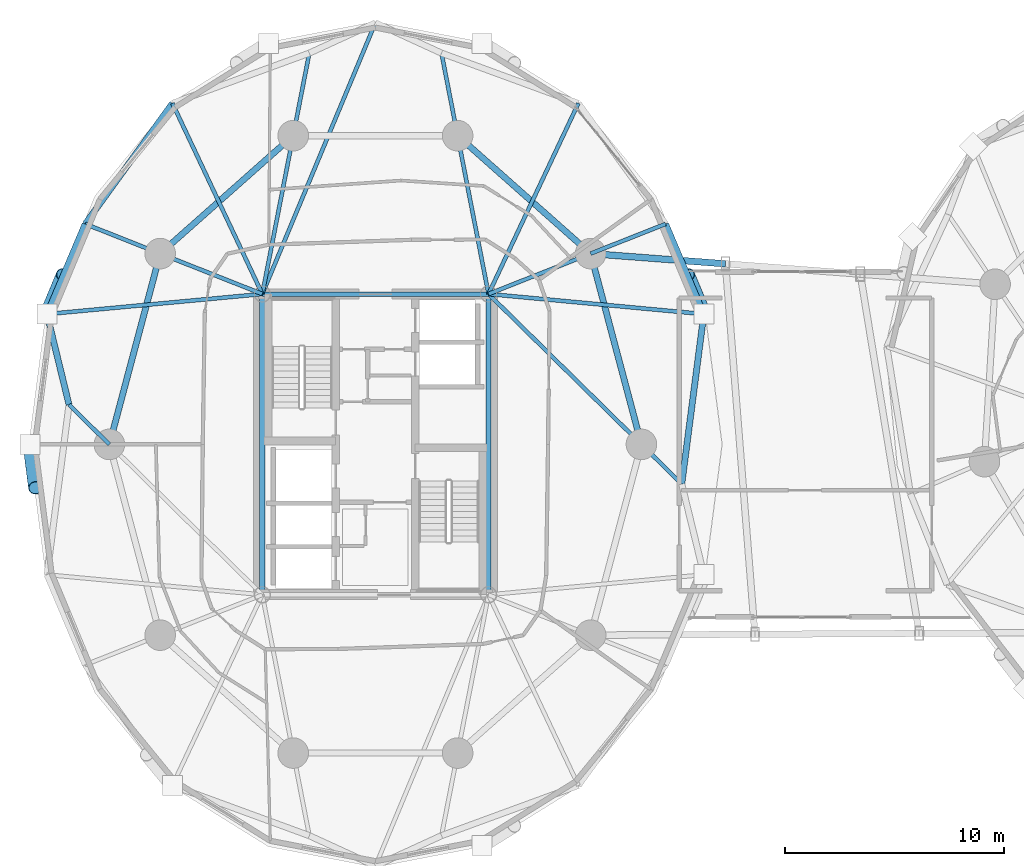
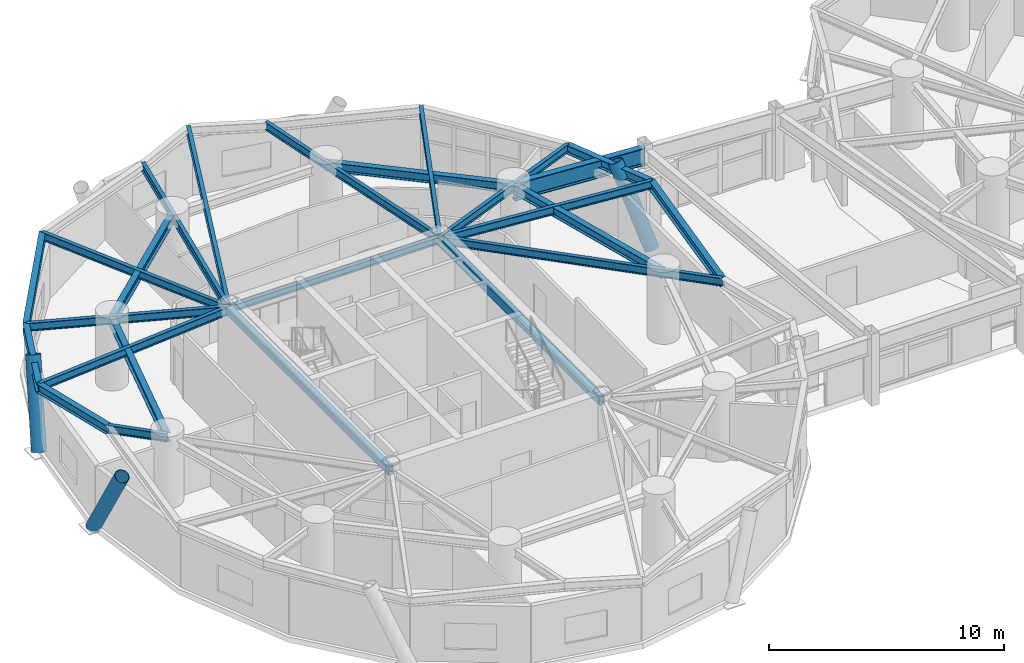
# One storey, part 2 of 20: 25 beams, 3 members.
"""IFC4 building model written with IfcOpenShell, lengths in metres."""

from ifc_helpers import new_model, si_unit, direction, frame, origin, origin_2d, place, context, subcontext, project, spatial, hollow_rectangle, hollow_circle, i_section, extrude, material, material_profile, profile_set, type_object, element, save


model = new_model("IFC4")

# Units and contexts
model_context = context("Model", 3, precision=1e-05, world=origin(), true_north=direction((0.0, 1.0)))
body_context = subcontext(model_context, "Body", "Model", "MODEL_VIEW")
ifc_project = project(units=[si_unit("LENGTHUNIT", "METRE"), si_unit("AREAUNIT", "SQUARE_METRE"), si_unit("VOLUMEUNIT", "CUBIC_METRE"), si_unit("PLANEANGLEUNIT", "RADIAN"), si_unit("MASSUNIT", "GRAM", prefix="KILO")], contexts=[model_context])

# Site, building, storey
site_placement = place(None, origin())
site = spatial("IfcSite", under=ifc_project, at=site_placement, CompositionType="ELEMENT")
building_placement = place(site_placement, origin())
building = spatial("IfcBuilding", under=site, at=building_placement, Name="Cununo Teusaquillo Station Towers", CompositionType="ELEMENT")
storey_placement = place(building_placement, frame((0.0, 0.0, 129.159912109375)))
storey = spatial("IfcBuildingStorey", under=building, at=storey_placement, Name="L41", CompositionType="ELEMENT", Elevation=129.159912109375)

# Beams
ifc_material_1 = material(Name="Steel EN 10025-2 S355J2", Category="steel")
ifc_material_profile_1 = material_profile(ifc_material_1, i_section(OverallWidth=0.300048828125, OverallDepth=0.89990234375, WebThickness=0.0185546875, FlangeThickness=0.034912109375, FilletRadius=0.027099609375, at=origin_2d()), Name="HEB 900")
ifc_profile_set_1 = profile_set([ifc_material_profile_1], Name="Steel EN 10025-2 S355J2")
beam_type_1 = type_object("IfcBeamType", Name="BM-BRG-CH2", PredefinedType="BEAM", material=ifc_profile_set_1)
beam_1_placement = place(storey_placement, frame((26.347412109375, 33.228515625, 2.989990234375), z_axis=(0.997146155085, -0.075495333624, 0.0), x_axis=(0.075495333624, 0.997146155085, 0.0)))
element("IfcBeam", 1, at=beam_1_placement, inside=storey, type_object=beam_type_1, Name="L41 Mid-Bridge Chord N1", PredefinedType="BEAM", context=body_context, shape_type="SweptSolid", body=[
    extrude(i_section(OverallWidth=0.300048828125, OverallDepth=0.89990234375, WebThickness=0.0185546875, FlangeThickness=0.034912109375, FilletRadius=0.027099609375, at=origin_2d()), origin(), (0.0, 0.0, 1.0), 6.186279296875),
])
ifc_material_2 = material(Name="Steel EN 10025-2 S355J2", Category="steel")
ifc_material_profile_2 = material_profile(ifc_material_2, hollow_rectangle(XDim=0.25, YDim=0.449951171875, WallThickness=0.01611328125, at=origin_2d()), Name="RHS 450x250x16")
ifc_profile_set_2 = profile_set([ifc_material_profile_2], Name="Steel EN 10025-2 S355J2")
beam_type_2 = type_object("IfcBeamType", Name="BM-COUP-1", PredefinedType="USERDEFINED", material=ifc_profile_set_2)
for number, where, z_axis, x_axis, name in (
    (2, (11.324951171875, 17.6201171875, 3.215087890625), (0.0, 1.0, 0.0), (-1.0, 0.0, 0.0), "L41 Tower A Core Beam 1"),
    (3, (21.675048828125, 17.6201171875, 3.215087890625), (0.0, 1.0, 0.0), (-1.0, 0.0, 0.0), "L41 Tower A Core Beam 2"),
):
    element("IfcBeam", number, at=place(storey_placement, frame(where, z_axis=z_axis, x_axis=x_axis)), inside=storey, type_object=beam_type_2, Name=name, ObjectType="COUPLING BEAM", PredefinedType="USERDEFINED", context=body_context, shape_type="SweptSolid", body=[
        extrude(hollow_rectangle(XDim=0.25, YDim=0.449951171875, WallThickness=0.01611328125, at=origin_2d()), origin(), (0.0, 0.0, 1.0), 13.759765625),
    ])
ifc_material_3 = material(Name="Steel ASTM A572 Grade 50", Category="steel")
ifc_material_profile_3 = material_profile(ifc_material_3, i_section(OverallWidth=0.180908203125, OverallDepth=0.4169921875, WebThickness=0.010986328125, FlangeThickness=0.018310546875, FilletRadius=0.012939453125, at=origin_2d()), Name="W16X57")
ifc_profile_set_3 = profile_set([ifc_material_profile_3], Name="Steel ASTM A572 Grade 50")
beam_type_3 = type_object("IfcBeamType", Name="BM-JOIST-1", PredefinedType="JOIST", material=ifc_profile_set_3)
beam_2_placement = place(storey_placement, frame((21.675048828125, 31.3798828125, 3.231689453125), z_axis=(0.995678537907, -0.09286683558, 0.0), x_axis=(0.09286683558, 0.995678537907, 0.0)))
element("IfcBeam", 4, at=beam_2_placement, inside=storey, type_object=beam_type_3, Name="L41 Tower A Radial Spandrel Joist V01", PredefinedType="JOIST", context=body_context, shape_type="SweptSolid", body=[
    extrude(i_section(OverallWidth=0.180908203125, OverallDepth=0.4169921875, WebThickness=0.010986328125, FlangeThickness=0.018310546875, FilletRadius=0.012939453125, at=origin_2d()), origin(), (0.0, 0.0, 1.0), 9.895263671875),
])
beam_3_placement = place(storey_placement, frame((21.675048828125, 31.3798828125, 3.231689453125), z_axis=(0.426319838016, 0.904572493344, 0.0), x_axis=(-0.904572493344, 0.426319838016, 0.0)))
element("IfcBeam", 5, at=beam_3_placement, inside=storey, type_object=beam_type_3, Name="L41 Tower A Radial Spandrel Joist V03", PredefinedType="JOIST", context=body_context, shape_type="SweptSolid", body=[
    extrude(i_section(OverallWidth=0.180908203125, OverallDepth=0.4169921875, WebThickness=0.010986328125, FlangeThickness=0.018310546875, FilletRadius=0.012939453125, at=origin_2d()), origin(), (0.0, 0.0, 1.0), 9.646728515625),
])
beam_4_placement = place(storey_placement, frame((11.324951171875, 31.3798828125, 3.231689453125), z_axis=(0.38487837995, 0.922967297713, 0.0), x_axis=(-0.922967297713, 0.38487837995, 0.0)))
element("IfcBeam", 6, at=beam_4_placement, inside=storey, type_object=beam_type_3, Name="L41 Tower A Radial Spandrel Joist V05", PredefinedType="JOIST", context=body_context, shape_type="SweptSolid", body=[
    extrude(i_section(OverallWidth=0.180908203125, OverallDepth=0.4169921875, WebThickness=0.010986328125, FlangeThickness=0.018310546875, FilletRadius=0.012939453125, at=origin_2d()), origin(), (0.0, 0.0, 1.0), 13.446044921875),
])
beam_5_placement = place(storey_placement, frame((11.324951171875, 31.3798828125, 3.231689453125), z_axis=(-0.426319838016, 0.904572493344, 0.0), x_axis=(-0.904572493344, -0.426319838016, 0.0)))
element("IfcBeam", 7, at=beam_5_placement, inside=storey, type_object=beam_type_3, Name="L41 Tower A Radial Spandrel Joist V07", PredefinedType="JOIST", context=body_context, shape_type="SweptSolid", body=[
    extrude(i_section(OverallWidth=0.180908203125, OverallDepth=0.4169921875, WebThickness=0.010986328125, FlangeThickness=0.018310546875, FilletRadius=0.012939453125, at=origin_2d()), origin(), (0.0, 0.0, 1.0), 9.646728515625),
])
beam_6_placement = place(storey_placement, frame((11.324951171875, 31.3798828125, 3.231689453125), z_axis=(-0.995678537907, -0.09286683558, 0.0), x_axis=(0.09286683558, -0.995678537907, 0.0)))
element("IfcBeam", 8, at=beam_6_placement, inside=storey, type_object=beam_type_3, Name="L41 Tower A Radial Spandrel Joist V09", PredefinedType="JOIST", context=body_context, shape_type="SweptSolid", body=[
    extrude(i_section(OverallWidth=0.180908203125, OverallDepth=0.4169921875, WebThickness=0.010986328125, FlangeThickness=0.018310546875, FilletRadius=0.012939453125, at=origin_2d()), origin(), (0.0, 0.0, 1.0), 9.895263671875),
])
ifc_material_4 = material(Name="Steel ASTM A572 Grade 50", Category="steel")
ifc_material_profile_4 = material_profile(ifc_material_4, i_section(OverallWidth=0.2041015625, OverallDepth=0.35009765625, WebThickness=0.008544921875, FlangeThickness=0.01513671875, FilletRadius=0.011962890625, at=origin_2d()), Name="W14X48")
ifc_profile_set_4 = profile_set([ifc_material_profile_4], Name="Steel ASTM A572 Grade 50")
beam_type_4 = type_object("IfcBeamType", Name="BM-LINTEL-1", PredefinedType="LINTEL", material=ifc_profile_set_4)
beam_7_placement = place(storey_placement, frame((11.324951171875, 31.3798828125, 3.26513671875), z_axis=(1.0, 0.0, 0.0), x_axis=(0.0, 1.0, 0.0)))
element("IfcBeam", 9, at=beam_7_placement, inside=storey, type_object=beam_type_4, Name="L41 Tower A Core Beam 4", PredefinedType="LINTEL", context=body_context, shape_type="SweptSolid", body=[
    extrude(i_section(OverallWidth=0.2041015625, OverallDepth=0.35009765625, WebThickness=0.008544921875, FlangeThickness=0.01513671875, FilletRadius=0.011962890625, at=origin_2d()), origin(), (0.0, 0.0, 1.0), 10.35009765625),
])
ifc_material_5 = material(Name="Steel ASTM A572 Grade 50", Category="steel")
ifc_material_profile_5 = material_profile(ifc_material_5, i_section(OverallWidth=0.180908203125, OverallDepth=0.4169921875, WebThickness=0.010986328125, FlangeThickness=0.018310546875, FilletRadius=0.012939453125, at=origin_2d()), Name="W16X57")
ifc_profile_set_5 = profile_set([ifc_material_profile_5], Name="Steel ASTM A572 Grade 50")
beam_type_5 = type_object("IfcBeamType", Name="BM-RAD-G2", PredefinedType="BEAM", material=ifc_profile_set_5)
beam_8_placement = place(storey_placement, frame((21.675048828125, 31.3798828125, 3.231689453125), z_axis=(0.713047137857, -0.701116095375, 0.0), x_axis=(0.701116095375, 0.713047137857, 0.0)))
element("IfcBeam", 10, at=beam_8_placement, inside=storey, type_object=beam_type_5, Name="L41 Tower A Continuous Overhanging Radial Girder 01", PredefinedType="BEAM", context=body_context, shape_type="SweptSolid", body=[
    extrude(i_section(OverallWidth=0.180908203125, OverallDepth=0.4169921875, WebThickness=0.010986328125, FlangeThickness=0.018310546875, FilletRadius=0.012939453125, at=origin_2d()), origin(), (0.0, 0.0, 1.0), 12.400390625),
])
beam_9_placement = place(storey_placement, frame((21.675048828125, 31.3798828125, 3.231689453125), z_axis=(0.929864104313, 0.367903176814, 0.0), x_axis=(-0.367903176814, 0.929864104313, 0.0)))
element("IfcBeam", 11, at=beam_9_placement, inside=storey, type_object=beam_type_5, Name="L41 Tower A Radial Girder 02A", PredefinedType="BEAM", context=body_context, shape_type="SweptSolid", body=[
    extrude(i_section(OverallWidth=0.180908203125, OverallDepth=0.4169921875, WebThickness=0.010986328125, FlangeThickness=0.018310546875, FilletRadius=0.012939453125, at=origin_2d()), origin(), (0.0, 0.0, 1.0), 5.02490234375),
])
beam_10_placement = place(storey_placement, frame((26.347412109375, 33.228515625, 3.231689453125), z_axis=(0.929861788731, 0.367909029323, 0.0), x_axis=(-0.367909029323, 0.929861788731, 0.0)))
element("IfcBeam", 12, at=beam_10_placement, inside=storey, type_object=beam_type_5, Name="L41 Tower A Perimeter Overhang Girder 02B", PredefinedType="BEAM", context=body_context, shape_type="SweptSolid", body=[
    extrude(i_section(OverallWidth=0.180908203125, OverallDepth=0.4169921875, WebThickness=0.010986328125, FlangeThickness=0.018310546875, FilletRadius=0.012939453125, at=origin_2d()), origin(), (0.0, 0.0, 1.0), 3.690185546875),
])
for number, where, z_axis, x_axis, name in (
    (13, (21.675048828125, 31.3798828125, 3.231689453125), (-0.191552755713, 0.981482318628, 0.0), (-0.981482318628, -0.191552755713, 0.0), "L41 Tower A Continuous Overhanging Radial Girder 03"),
    (14, (11.324951171875, 31.3798828125, 3.231689453125), (0.191552755713, 0.981482318628, 0.0), (-0.981482318628, 0.191552755713, 0.0), "L41 Tower A Continuous Overhanging Radial Girder 04"),
):
    element("IfcBeam", number, at=place(storey_placement, frame(where, z_axis=z_axis, x_axis=x_axis)), inside=storey, type_object=beam_type_5, Name=name, PredefinedType="BEAM", context=body_context, shape_type="SweptSolid", body=[
        extrude(i_section(OverallWidth=0.180908203125, OverallDepth=0.4169921875, WebThickness=0.010986328125, FlangeThickness=0.018310546875, FilletRadius=0.012939453125, at=origin_2d()), origin(), (0.0, 0.0, 1.0), 11.22998046875),
    ])
beam_11_placement = place(storey_placement, frame((11.324951171875, 31.3798828125, 3.231689453125), z_axis=(-0.929863123823, 0.367905654963, 0.0), x_axis=(-0.367905654963, -0.929863123823, 0.0)))
element("IfcBeam", 15, at=beam_11_placement, inside=storey, type_object=beam_type_5, Name="L41 Tower A Continuous Overhanging Radial Girder 05", PredefinedType="BEAM", context=body_context, shape_type="SweptSolid", body=[
    extrude(i_section(OverallWidth=0.180908203125, OverallDepth=0.4169921875, WebThickness=0.010986328125, FlangeThickness=0.018310546875, FilletRadius=0.012939453125, at=origin_2d()), origin(), (0.0, 0.0, 1.0), 8.715087890625),
])
beam_12_placement = place(storey_placement, frame((4.327880859375, 24.5, 3.231689453125), z_axis=(-0.7130260383, 0.701137553342, 0.0), x_axis=(-0.701137553342, -0.7130260383, 0.0)))
element("IfcBeam", 16, at=beam_12_placement, inside=storey, type_object=beam_type_5, Name="L41 Tower A Perimeter Overhang Girder 06B", PredefinedType="BEAM", context=body_context, shape_type="SweptSolid", body=[
    extrude(i_section(OverallWidth=0.180908203125, OverallDepth=0.4169921875, WebThickness=0.010986328125, FlangeThickness=0.018310546875, FilletRadius=0.012939453125, at=origin_2d()), origin(), (0.0, 0.0, 1.0), 2.58740234375),
])
ifc_material_6 = material(Name="Steel ASTM A572 Grade 50", Category="steel")
ifc_material_profile_6 = material_profile(ifc_material_6, i_section(OverallWidth=0.280029296875, OverallDepth=0.462890625, WebThickness=0.0107421875, FlangeThickness=0.017333984375, FilletRadius=0.013916015625, at=origin_2d()), Name="W18X76")
ifc_profile_set_6 = profile_set([ifc_material_profile_6], Name="Steel ASTM A572 Grade 50")
beam_type_6 = type_object("IfcBeamType", Name="BM-RING-Z2", PredefinedType="SPANDREL", material=ifc_profile_set_6)
beam_13_placement = place(storey_placement, frame((28.672119140625, 24.5, 3.20849609375), z_axis=(-0.257363196347, 0.966314744359, 0.0), x_axis=(-0.966314744359, -0.257363196347, 0.0)))
element("IfcBeam", 17, at=beam_13_placement, inside=storey, type_object=beam_type_6, Name="L41 Tower A Structural Column Ring Girder 01", PredefinedType="SPANDREL", context=body_context, shape_type="SweptSolid", body=[
    extrude(i_section(OverallWidth=0.280029296875, OverallDepth=0.462890625, WebThickness=0.0107421875, FlangeThickness=0.017333984375, FilletRadius=0.013916015625, at=origin_2d()), origin(), (0.0, 0.0, 1.0), 9.03271484375),
])
for number, where, z_axis, x_axis, name in (
    (18, (26.347412109375, 33.228515625, 3.20849609375), (-0.74832120039, 0.66333655187, 0.0), (-0.66333655187, -0.74832120039, 0.0), "L41 Tower A Structural Column Ring Girder 02"),
    (19, (12.738525390625, 38.623291015625, 3.20849609375), (-0.74832120039, -0.66333655187, 0.0), (0.66333655187, -0.74832120039, 0.0), "L41 Tower A Structural Column Ring Girder 04"),
):
    element("IfcBeam", number, at=place(storey_placement, frame(where, z_axis=z_axis, x_axis=x_axis)), inside=storey, type_object=beam_type_6, Name=name, PredefinedType="SPANDREL", context=body_context, shape_type="SweptSolid", body=[
        extrude(i_section(OverallWidth=0.280029296875, OverallDepth=0.462890625, WebThickness=0.0107421875, FlangeThickness=0.017333984375, FilletRadius=0.013916015625, at=origin_2d()), origin(), (0.0, 0.0, 1.0), 8.1328125),
    ])
beam_14_placement = place(storey_placement, frame((6.652587890625, 33.228515625, 3.20849609375), z_axis=(-0.257363196347, -0.966314744359, 0.0), x_axis=(0.966314744359, -0.257363196347, 0.0)))
element("IfcBeam", 20, at=beam_14_placement, inside=storey, type_object=beam_type_6, Name="L41 Tower A Structural Column Ring Girder 05", PredefinedType="SPANDREL", context=body_context, shape_type="SweptSolid", body=[
    extrude(i_section(OverallWidth=0.280029296875, OverallDepth=0.462890625, WebThickness=0.0107421875, FlangeThickness=0.017333984375, FilletRadius=0.013916015625, at=origin_2d()), origin(), (0.0, 0.0, 1.0), 9.03271484375),
])
beam_15_placement = place(storey_placement, frame((30.51708984375, 22.685791015625, 3.20849609375), z_axis=(0.12888124113, 0.991660035337, 0.0), x_axis=(-0.991660035337, 0.12888124113, 0.0)))
element("IfcBeam", 21, at=beam_15_placement, inside=storey, type_object=beam_type_6, Name="L41 Tower A Spandrel Ring Beam 01", PredefinedType="SPANDREL", context=body_context, shape_type="SweptSolid", body=[
    extrude(i_section(OverallWidth=0.280029296875, OverallDepth=0.462890625, WebThickness=0.0107421875, FlangeThickness=0.017333984375, FilletRadius=0.013916015625, at=origin_2d()), origin(), (0.0, 0.0, 1.0), 7.840576171875),
])
beam_16_placement = place(storey_placement, frame((31.527587890625, 30.4609375, 3.20849609375), z_axis=(-0.390299356049, 0.920688010494, 0.0), x_axis=(-0.920688010494, -0.390299356049, 0.0)))
element("IfcBeam", 22, at=beam_16_placement, inside=storey, type_object=beam_type_6, Name="L41 Tower A Spandrel Ring Beam 02", PredefinedType="SPANDREL", context=body_context, shape_type="SweptSolid", body=[
    extrude(i_section(OverallWidth=0.280029296875, OverallDepth=0.462890625, WebThickness=0.0107421875, FlangeThickness=0.017333984375, FilletRadius=0.013916015625, at=origin_2d()), origin(), (0.0, 0.0, 1.0), 4.480712890625),
])
beam_17_placement = place(storey_placement, frame((7.21240234375, 40.10595703125, 3.20849609375), z_axis=(-0.58594455724, -0.810351143543, 0.0), x_axis=(0.810351143543, -0.58594455724, 0.0)))
element("IfcBeam", 23, at=beam_17_placement, inside=storey, type_object=beam_type_6, Name="L41 Tower A Spandrel Ring Beam 08", PredefinedType="SPANDREL", context=body_context, shape_type="SweptSolid", body=[
    extrude(i_section(OverallWidth=0.280029296875, OverallDepth=0.462890625, WebThickness=0.0107421875, FlangeThickness=0.017333984375, FilletRadius=0.013916015625, at=origin_2d()), origin(), (0.0, 0.0, 1.0), 6.8115234375),
])
beam_18_placement = place(storey_placement, frame((3.22119140625, 34.586181640625, 3.20849609375), z_axis=(-0.390299356049, -0.920688010494, 0.0), x_axis=(0.920688010494, -0.390299356049, 0.0)))
element("IfcBeam", 24, at=beam_18_placement, inside=storey, type_object=beam_type_6, Name="L41 Tower A Spandrel Ring Beam 09", PredefinedType="SPANDREL", context=body_context, shape_type="SweptSolid", body=[
    extrude(i_section(OverallWidth=0.280029296875, OverallDepth=0.462890625, WebThickness=0.0107421875, FlangeThickness=0.017333984375, FilletRadius=0.013916015625, at=origin_2d()), origin(), (0.0, 0.0, 1.0), 4.480712890625),
])
beam_19_placement = place(storey_placement, frame((1.472412109375, 30.4609375, 3.20849609375), z_axis=(0.236757334703, -0.971568816124, 0.0), x_axis=(0.971568816124, 0.236757334703, 0.0)))
element("IfcBeam", 25, at=beam_19_placement, inside=storey, type_object=beam_type_6, Name="L41 Tower A Spandrel Ring Beam 10", PredefinedType="SPANDREL", context=body_context, shape_type="SweptSolid", body=[
    extrude(i_section(OverallWidth=0.280029296875, OverallDepth=0.462890625, WebThickness=0.0107421875, FlangeThickness=0.017333984375, FilletRadius=0.013916015625, at=origin_2d()), origin(), (0.0, 0.0, 1.0), 4.26806640625),
])

# Members
ifc_material_7 = material(Name="Steel EN 10025-2 S355J2", Category="steel")
ifc_material_profile_7 = material_profile(ifc_material_7, hollow_circle(Radius=0.330078125, WallThickness=0.02490234375, at=origin_2d()), Name="CHS 660x25")
ifc_profile_set_7 = profile_set([ifc_material_profile_7], Name="Steel EN 10025-2 S355J2")
member_type = type_object("IfcMemberType", Name="MBR-DIAG-Z2", PredefinedType="BRACE", material=ifc_profile_set_7)
for number, where, z_axis, x_axis, name in (
    (26, (31.527587890625, 30.4609375, -0.139892578125), (-0.17825428596, 0.427135433263, 0.886442739938), (-0.922861086318, -0.385132983993, 0.0), "L41 Tower A Folded-Zigzag Diagrid Tube C01"),
    (27, (1.472412109375, 30.4609375, -0.139892578125), (0.17825428596, 0.427135433263, 0.886442739938), (-0.922861086318, 0.385132983993, 0.0), "L41 Tower A Folded-Zigzag Diagrid Tube C08"),
):
    element("IfcMember", number, at=place(storey_placement, frame(where, z_axis=z_axis, x_axis=x_axis)), inside=storey, type_object=member_type, Name=name, PredefinedType="BRACE", context=body_context, shape_type="SweptSolid", body=[
        extrude(hollow_circle(Radius=0.330078125, WallThickness=0.02490234375, at=origin_2d()), origin(), (0.0, 0.0, 1.0), 4.196533203125),
    ])
member_placement = place(storey_placement, frame((0.698974609375, 24.5, -0.139892578125), z_axis=(0.061016550395, -0.470278128471, 0.880406418911), x_axis=(0.991687829619, 0.128667200894, 0.0)))
element("IfcMember", 28, at=member_placement, inside=storey, type_object=member_type, Name="L41 Tower A Folded-Zigzag Diagrid Tube C10", PredefinedType="BRACE", context=body_context, shape_type="SweptSolid", body=[
    extrude(hollow_circle(Radius=0.330078125, WallThickness=0.02490234375, at=origin_2d()), origin(), (0.0, 0.0, 1.0), 4.225341796875),
])

save(model, "model.ifc")
